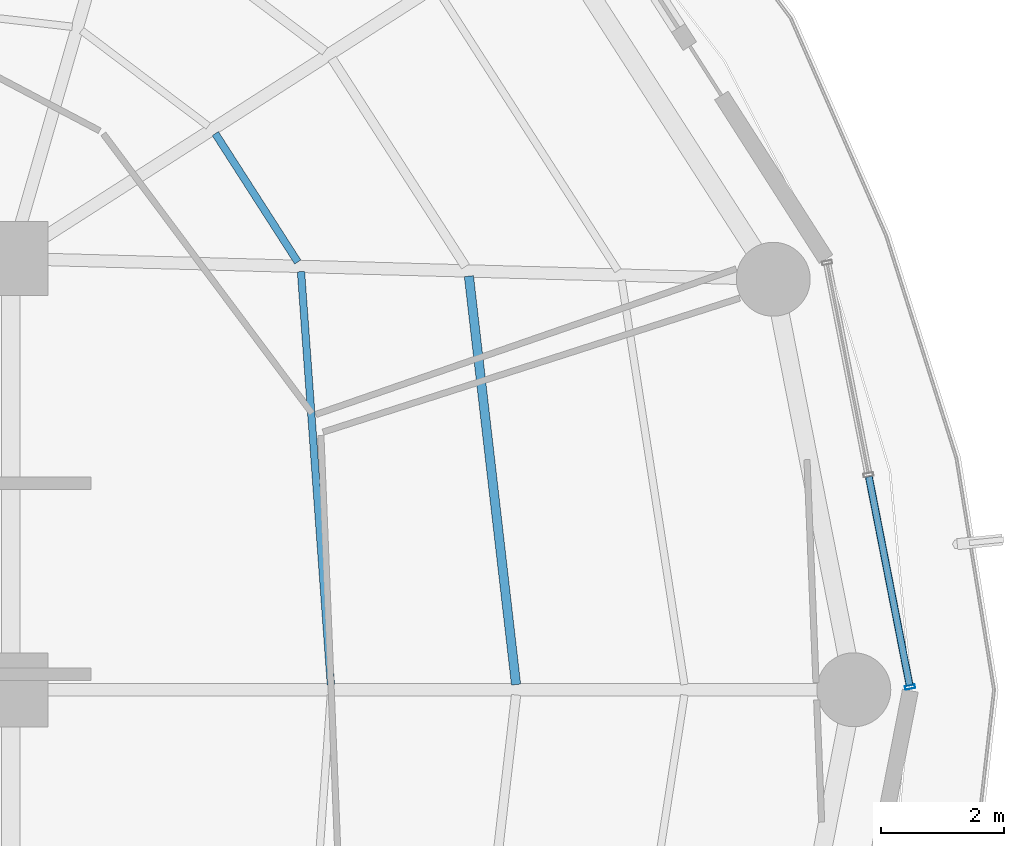
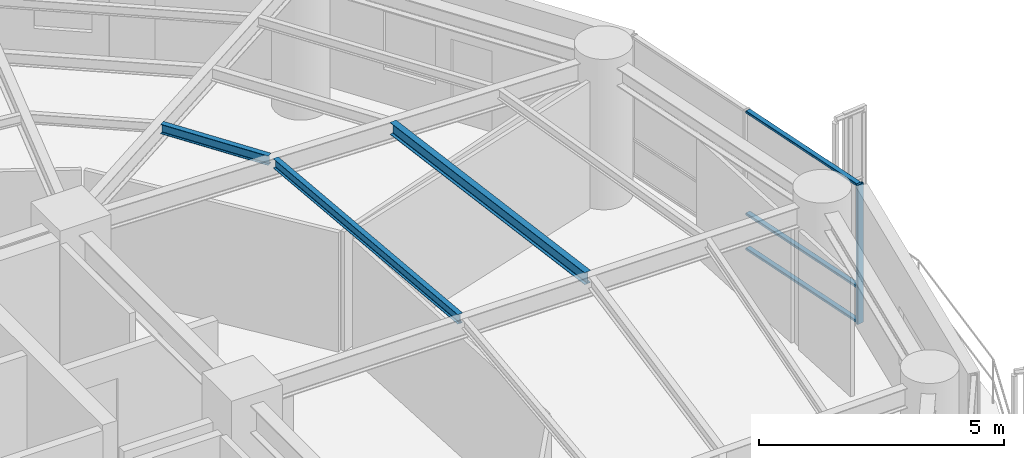
# One storey, part 13 of 28: 4 members, 3 beams, 1 element without a shape of its own.
"""IFC4 building model written with IfcOpenShell, lengths in metres."""

from ifc_helpers import new_model, si_unit, direction, frame, origin, origin_2d, place, context, subcontext, project, spatial, hollow_rectangle, i_section, extrude, material, layer, layer_set, material_profile, profile_set, type_object, element, aggregate, save


model = new_model("IFC4")

# Units and contexts
model_context = context("Model", 3, precision=1e-05, world=origin(), true_north=direction((0.0, 1.0)))
body_context = subcontext(model_context, "Body", "Model", "MODEL_VIEW")
ifc_project = project(units=[si_unit("LENGTHUNIT", "METRE"), si_unit("AREAUNIT", "SQUARE_METRE"), si_unit("VOLUMEUNIT", "CUBIC_METRE"), si_unit("PLANEANGLEUNIT", "RADIAN"), si_unit("MASSUNIT", "GRAM", prefix="KILO")], contexts=[model_context])

# Site, building, storey
site_placement = place(None, origin())
site = spatial("IfcSite", under=ifc_project, at=site_placement, CompositionType="ELEMENT")
building_placement = place(site_placement, origin())
building = spatial("IfcBuilding", under=site, at=building_placement, Name="Kelanora Arch Commons", CompositionType="ELEMENT")
storey_placement = place(building_placement, frame((0.0, 0.0, 176.85009765625)))
storey = spatial("IfcBuildingStorey", under=building, at=storey_placement, Name="L45", CompositionType="ELEMENT", Elevation=176.85009765625)

# Beams
ifc_material_1 = material(Name="Steel S355", Category="steel")
ifc_material_profile_1 = material_profile(ifc_material_1, i_section(OverallWidth=0.14990234375, OverallDepth=0.300048828125, WebThickness=0.007080078125, FlangeThickness=0.0107421875, FilletRadius=0.014892578125, at=origin_2d()), Name="IPE300")
ifc_profile_set_1 = profile_set([ifc_material_profile_1], Name="Steel S355")
beam_type_1 = type_object("IfcBeamType", Name="BM-JST-01", PredefinedType="JOIST", material=ifc_profile_set_1)
beam_1_placement = place(storey_placement, frame((90.1982421875, 58.08447265625, 3.33984375), z_axis=(-0.114667159005, 0.9934039675, 0.0), x_axis=(-0.9934039675, -0.114667159005, 0.0)))
element("IfcBeam", 1, at=beam_1_placement, inside=storey, type_object=beam_type_1, Name="Secondary Chord Joist BJB-00 L45", PredefinedType="JOIST", context=body_context, shape_type="SweptSolid", body=[
    extrude(i_section(OverallWidth=0.14990234375, OverallDepth=0.300048828125, WebThickness=0.007080078125, FlangeThickness=0.0107421875, FilletRadius=0.014892578125, at=origin_2d()), origin(), (0.0, 0.0, 1.0), 6.672607421875),
])
ifc_material_profile_2 = material_profile(ifc_material_1, i_section(OverallWidth=0.1201171875, OverallDepth=0.239990234375, WebThickness=0.006103515625, FlangeThickness=0.009765625, FilletRadius=0.014892578125, at=origin_2d()), Name="IPE240")
ifc_profile_set_2 = profile_set([ifc_material_profile_2], Name="Steel S355")
beam_type_2 = type_object("IfcBeamType", Name="BM-JST-02", PredefinedType="JOIST", material=ifc_profile_set_2)
beam_2_placement = place(storey_placement, frame((87.1923828125, 58.084716796875, 3.369873046875), z_axis=(-0.072117123738, 0.997396170267, 0.0), x_axis=(-0.997396170267, -0.072117123738, 0.0)))
element("IfcBeam", 2, at=beam_2_placement, inside=storey, type_object=beam_type_2, Name="Secondary Chord Joist BJA-00 L45", PredefinedType="JOIST", context=body_context, shape_type="SweptSolid", body=[
    extrude(i_section(OverallWidth=0.1201171875, OverallDepth=0.239990234375, WebThickness=0.006103515625, FlangeThickness=0.009765625, FilletRadius=0.014892578125, at=origin_2d()), origin(), (0.0, 0.0, 1.0), 6.719970703125),
])
beam_3_placement = place(storey_placement, frame((86.655517578125, 64.943359375, 3.369873046875), z_axis=(-0.540583174025, 0.841290575224, 0.0), x_axis=(-0.841290575224, -0.540583174025, 0.0)))
element("IfcBeam", 3, at=beam_3_placement, inside=storey, type_object=beam_type_2, Name="Secondary Chord Joist BJA-02 L45", PredefinedType="JOIST", context=body_context, shape_type="SweptSolid", body=[
    extrude(i_section(OverallWidth=0.1201171875, OverallDepth=0.239990234375, WebThickness=0.006103515625, FlangeThickness=0.009765625, FilletRadius=0.014892578125, at=origin_2d()), origin(), (0.0, 0.0, 1.0), 2.476318359375),
])

# Curtain wall, members
ifc_material_2 = material(Name="Terracotta ceramic-fritted low-E glass and aluminium", Category="masonry")
ifc_layer = layer(ifc_material_2, 0.175048828125)
ifc_layer_set = layer_set([ifc_layer], Name="Terracotta ceramic-fritted low-E glass and aluminium")
curtain_wall_type = type_object("IfcCurtainWallType", Name="CW-SYS-02", PredefinedType="NOTDEFINED", material=ifc_layer_set)
curtain_wall_placement = place(storey_placement, origin())
curtain_wall = element("IfcCurtainWall", 4, at=curtain_wall_placement, inside=storey, type_object=curtain_wall_type, Name="Unitised Curtain Wall L45-B00", PredefinedType="NOTDEFINED")
ifc_material_3 = material(Name="Powder-coated aluminium terracotta", Category="masonry")
ifc_material_profile_3 = material_profile(ifc_material_3, hollow_rectangle(XDim=0.159912109375, YDim=0.06005859375, WallThickness=0.0048828125, InnerFilletRadius=0.0048828125, OuterFilletRadius=0.010009765625, at=origin_2d()), Name="CWM160x60")
ifc_profile_set_3 = profile_set([ifc_material_profile_3], Name="Powder-coated aluminium terracotta")
member_type_1 = type_object("IfcMemberType", Name="CWM-STD", PredefinedType="MULLION", material=ifc_profile_set_3)
member_1_placement = place(storey_placement, frame((96.59130859375, 58.044189453125, 0.0), z_axis=(0.0, 0.0, 1.0), x_axis=(-0.981452557718, -0.191705182375, 0.0)))
member_1 = element("IfcMember", 5, at=member_1_placement, type_object=member_type_1, Name="CW-02 mullion 1", PredefinedType="MULLION", context=body_context, shape_type="SweptSolid", body=[
    extrude(hollow_rectangle(XDim=0.159912109375, YDim=0.06005859375, WallThickness=0.0048828125, InnerFilletRadius=0.0048828125, OuterFilletRadius=0.010009765625, at=origin_2d()), origin(), (0.0, 0.0, 1.0), 3.474853515625),
])
ifc_material_profile_4 = material_profile(ifc_material_3, hollow_rectangle(XDim=0.1201171875, YDim=0.06005859375, WallThickness=0.0048828125, InnerFilletRadius=0.0048828125, OuterFilletRadius=0.010009765625, at=origin_2d()), Name="CWT120x60")
ifc_profile_set_4 = profile_set([ifc_material_profile_4], Name="Powder-coated aluminium terracotta")
member_type_2 = type_object("IfcMemberType", Name="CWT-STD", PredefinedType="USERDEFINED", material=ifc_profile_set_4)
member_2_placement = place(storey_placement, frame((96.585693359375, 58.073486328125, 0.02978515625), z_axis=(-0.191718206447, 0.981450013662, 0.0), x_axis=(-0.981450013662, -0.191718206447, 0.0)))
member_2 = element("IfcMember", 6, at=member_2_placement, type_object=member_type_2, Name="CW-02 transom 1.1", ObjectType="TRANSOM", PredefinedType="USERDEFINED", context=body_context, shape_type="SweptSolid", body=[
    extrude(hollow_rectangle(XDim=0.1201171875, YDim=0.06005859375, WallThickness=0.0048828125, InnerFilletRadius=0.0048828125, OuterFilletRadius=0.010009765625, at=origin_2d()), origin(), (0.0, 0.0, 1.0), 3.44970703125),
])
member_3_placement = place(storey_placement, frame((96.585693359375, 58.073486328125, 0.89990234375), z_axis=(-0.191718206447, 0.981450013662, 0.0), x_axis=(-0.981450013662, -0.191718206447, 0.0)))
member_3 = element("IfcMember", 7, at=member_3_placement, type_object=member_type_2, Name="CW-02 transom 1.2", ObjectType="TRANSOM", PredefinedType="USERDEFINED", context=body_context, shape_type="SweptSolid", body=[
    extrude(hollow_rectangle(XDim=0.1201171875, YDim=0.06005859375, WallThickness=0.0048828125, InnerFilletRadius=0.0048828125, OuterFilletRadius=0.010009765625, at=origin_2d()), origin(), (0.0, 0.0, 1.0), 3.44970703125),
])
member_4_placement = place(storey_placement, frame((96.585693359375, 58.073486328125, 3.44482421875), z_axis=(-0.191718206447, 0.981450013662, 0.0), x_axis=(-0.981450013662, -0.191718206447, 0.0)))
member_4 = element("IfcMember", 8, at=member_4_placement, type_object=member_type_2, Name="CW-02 transom 1.3", ObjectType="TRANSOM", PredefinedType="USERDEFINED", context=body_context, shape_type="SweptSolid", body=[
    extrude(hollow_rectangle(XDim=0.1201171875, YDim=0.06005859375, WallThickness=0.0048828125, InnerFilletRadius=0.0048828125, OuterFilletRadius=0.010009765625, at=origin_2d()), origin(), (0.0, 0.0, 1.0), 3.44970703125),
])
aggregate(curtain_wall, [member_1, member_2, member_3, member_4])

save(model, "model.ifc")
